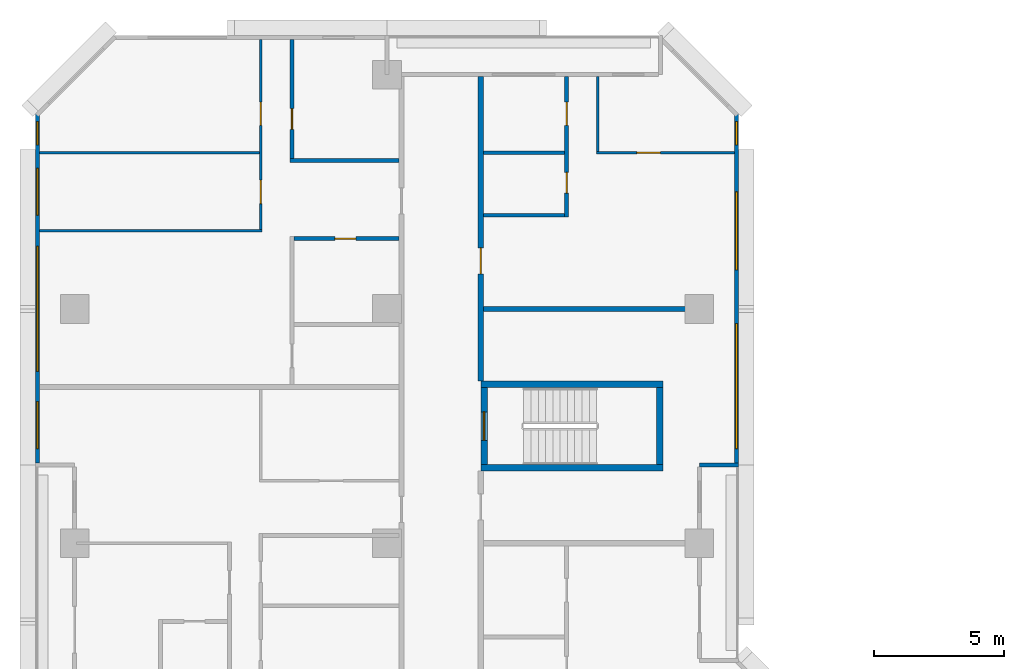
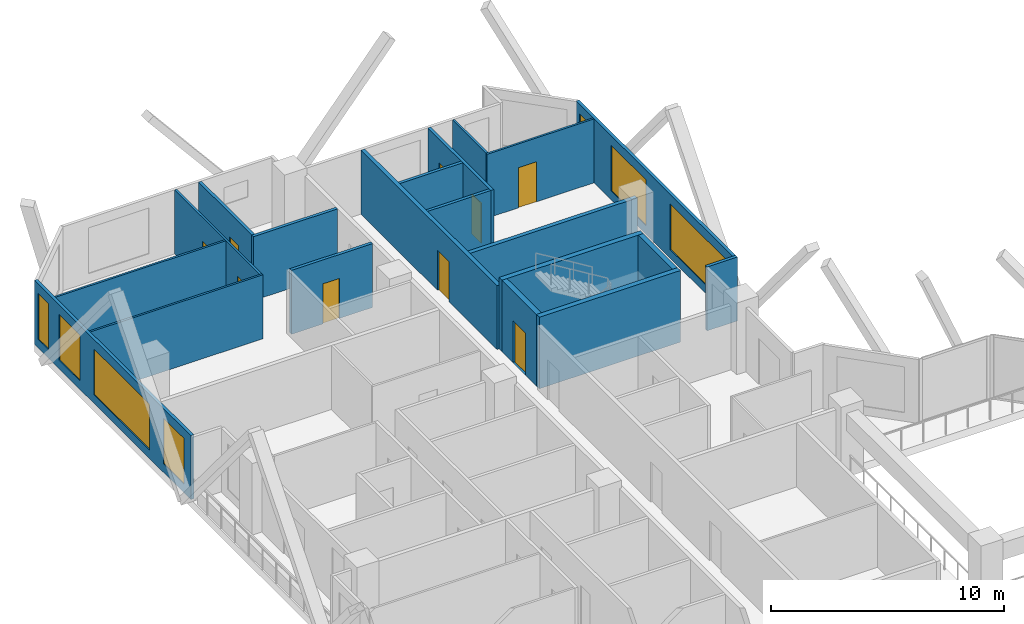
# One storey, part 10 of 15: 20 walls, 9 doors, 7 windows, 16 openings.
"""IFC4 building model written with IfcOpenShell, lengths in metres."""

from ifc_helpers import new_model, si_unit, direction, frame, frame_2d, origin, place, context, subcontext, project, spatial, rectangle, extrude, material, layer, layer_set, type_object, element, fill, save


model = new_model("IFC4")

# Units and contexts
model_context = context("Model", 3, precision=1e-05, world=origin(), true_north=direction((0.0, 1.0)))
body_context = subcontext(model_context, "Body", "Model", "MODEL_VIEW")
ifc_project = project(units=[si_unit("LENGTHUNIT", "METRE"), si_unit("AREAUNIT", "SQUARE_METRE"), si_unit("VOLUMEUNIT", "CUBIC_METRE"), si_unit("PLANEANGLEUNIT", "RADIAN"), si_unit("MASSUNIT", "GRAM", prefix="KILO")], contexts=[model_context])

# Site, building, storey
site_placement = place(None, origin())
site = spatial("IfcSite", under=ifc_project, at=site_placement, CompositionType="ELEMENT")
building_placement = place(site_placement, origin())
building = spatial("IfcBuilding", under=site, at=building_placement, Name="Chenar Terraces", CompositionType="ELEMENT")
storey_placement = place(building_placement, frame((0.0, 0.0, 41.39990234375)))
storey = spatial("IfcBuildingStorey", under=building, at=storey_placement, Name="L07", CompositionType="ELEMENT", Elevation=41.39990234375)

# Walls
ifc_material_1 = material(Name="Concrete C70/85", Category="concrete")
ifc_layer_1 = layer(ifc_material_1, 0.25)
ifc_layer_set_1 = layer_set([ifc_layer_1], Name="Concrete C70/85")
wall_type_1 = type_object("IfcWallType", Name="Core wall 250 Concrete C70/85", PredefinedType="SHEAR", material=ifc_layer_set_1)
for number, where, z_axis, x_axis, name in (
    (1, (15.60009765625, 47.89990234375, 0.0), (0.0, 0.0, 1.0), (1.0, 0.0, 0.0), "Core wall ST4_S L07"),
    (2, (15.60009765625, 51.10009765625, 0.0), (0.0, 0.0, 1.0), (1.0, 0.0, 0.0), "Core wall ST4_N L07"),
):
    element("IfcWall", number, at=place(storey_placement, frame(where, z_axis=z_axis, x_axis=x_axis)), inside=storey, type_object=wall_type_1, Name=name, PredefinedType="SHEAR", context=body_context, shape_type="SweptSolid", body=[
        extrude(rectangle(XDim=7.0, YDim=0.25, at=frame_2d((3.5, 0.0))), origin(), (0.0, 0.0, 1.0), 3.75),
    ])

# Wall, opening, door
wall_1_placement = place(storey_placement, frame((15.72509765625, 48.02490234375, 0.0), z_axis=(0.0, 0.0, 1.0), x_axis=(0.0, 1.0, 0.0)))
wall_1 = element("IfcWall", 3, at=wall_1_placement, inside=storey, type_object=wall_type_1, Name="Core wall ST4_W L07", PredefinedType="SHEAR", context=body_context, shape_type="SweptSolid", body=[
    extrude(rectangle(XDim=2.9501953125, YDim=0.25, at=frame_2d((1.47509765625, 0.0))), origin(), (0.0, 0.0, 1.0), 3.75),
])
opening_1_placement = place(wall_1_placement, frame((0.925048828125, 0.0, 0.0)))
opening_1 = element("IfcOpeningElement", 4, at=opening_1_placement, cuts=wall_1, Name="Opening DL07-C9", PredefinedType="OPENING", context=body_context, shape_type="SweptSolid", body=[
    extrude(rectangle(XDim=1.10009765625, YDim=2.199951171875, at=frame_2d((0.550048828125, 1.10009765625))), frame((0.0, 0.135009765625, 0.0), z_axis=(0.0, -1.0, 0.0), x_axis=(1.0, 0.0, 0.0)), (0.0, 0.0, 1.0), 0.27001953125),
])
ifc_material_2 = material(Name="Steel-framed fire-resisting door leaf", Category="steel")
door_type_1 = type_object("IfcDoorType", Name="Stair fire door FD60 1100 x 2200", OperationType="SINGLE_SWING_LEFT", PredefinedType="DOOR", material=ifc_material_2)
door_1_placement = place(opening_1_placement, frame((1.10009765625, 0.0, 0.0), z_axis=(0.0, 0.0, 1.0), x_axis=(-1.0, 0.0, 0.0)))
door_1 = element("IfcDoor", 5, at=door_1_placement, inside=storey, type_object=door_type_1, Name="Stair door DL07-C9", OperationType="SINGLE_SWING_RIGHT", OverallHeight=2.199951171875, OverallWidth=1.10009765625, PredefinedType="DOOR", context=body_context, shape_type="SweptSolid", body=[
    extrude(rectangle(XDim=1.10009765625, YDim=2.199951171875, at=frame_2d((0.550048828125, 1.10009765625))), frame((0.0, 0.02490234375, 0.0), z_axis=(0.0, -1.0, 0.0), x_axis=(1.0, 0.0, 0.0)), (0.0, 0.0, 1.0), 0.050048828125),
])
fill(opening_1, door_1)

# Wall
wall_2_placement = place(storey_placement, frame((22.47509765625, 48.02490234375, 0.0), z_axis=(0.0, 0.0, 1.0), x_axis=(0.0, 1.0, 0.0)))
element("IfcWall", 6, at=wall_2_placement, inside=storey, type_object=wall_type_1, Name="Core wall ST4_E L07", PredefinedType="SHEAR", context=body_context, shape_type="SweptSolid", body=[
    extrude(rectangle(XDim=2.9501953125, YDim=0.25, at=frame_2d((1.47509765625, 0.0))), origin(), (0.0, 0.0, 1.0), 3.75),
])

# Wall, opening, door
ifc_material_3 = material(Name="Gypsum board on steel studs with fire boards", Category="steel")
ifc_layer_2 = layer(ifc_material_3, 0.199951171875)
ifc_layer_set_2 = layer_set([ifc_layer_2], Name="Gypsum board on steel studs with fire boards")
wall_type_2 = type_object("IfcWallType", Name="Corridor wall 200", PredefinedType="PARTITIONING", material=ifc_layer_set_2)
wall_3_placement = place(storey_placement, frame((15.60009765625, 51.22509765625, 0.0), z_axis=(0.0, 0.0, 1.0), x_axis=(0.0, 1.0, 0.0)))
wall_3 = element("IfcWall", 7, at=wall_3_placement, inside=storey, type_object=wall_type_2, Name="Partition L07-039", PredefinedType="PARTITIONING", context=body_context, shape_type="SweptSolid", body=[
    extrude(rectangle(XDim=11.700927734375, YDim=0.199951171875, at=frame_2d((5.8505859375, 0.0))), origin(), (0.0, 0.0, 1.0), 3.35009765625),
])
opening_2_placement = place(wall_3_placement, frame((4.125, 0.0, 0.0)))
opening_2 = element("IfcOpeningElement", 8, at=opening_2_placement, cuts=wall_3, Name="Opening DL07-32", PredefinedType="OPENING", context=body_context, shape_type="SweptSolid", body=[
    extrude(rectangle(XDim=1.0, YDim=2.10009765625, at=frame_2d((0.5, 1.050048828125))), frame((0.0, 0.10986328125, 0.0), z_axis=(0.0, -1.0, 0.0), x_axis=(1.0, 0.0, 0.0)), (0.0, 0.0, 1.0), 0.219970703125),
])
ifc_material_4 = material(Name="Steel-framed fire-resisting door leaf", Category="steel")
door_type_2 = type_object("IfcDoorType", Name="Fire door FD30S 1000 x 2100", OperationType="SINGLE_SWING_LEFT", PredefinedType="DOOR", material=ifc_material_4)
door_2_placement = place(opening_2_placement, frame((1.0, 0.0, 0.0), z_axis=(0.0, 0.0, 1.0), x_axis=(-1.0, 0.0, 0.0)))
door_2 = element("IfcDoor", 9, at=door_2_placement, inside=storey, type_object=door_type_2, Name="Door DL07-32", OperationType="SINGLE_SWING_LEFT", OverallHeight=2.10009765625, OverallWidth=1.0, PredefinedType="DOOR", context=body_context, shape_type="SweptSolid", body=[
    extrude(rectangle(XDim=1.0, YDim=2.10009765625, at=frame_2d((0.5, 1.050048828125))), frame((0.0, 0.02490234375, 0.0), z_axis=(0.0, -1.0, 0.0), x_axis=(1.0, 0.0, 0.0)), (0.0, 0.0, 1.0), 0.050048828125),
])
fill(opening_2, door_2)

# Wall, openings, windows
ifc_material_5 = material(Name="Aluminium framed glazing", Category="aluminium")
ifc_layer_3 = layer(ifc_material_5, 0.14990234375)
ifc_layer_set_3 = layer_set([ifc_layer_3], Name="Aluminium framed glazing")
wall_type_3 = type_object("IfcWallType", Name="Glazed flush facade wall 150", PredefinedType="SOLIDWALL", material=ifc_layer_set_3)
wall_4_placement = place(storey_placement, frame((25.425048828125, 48.074951171875, 0.0), z_axis=(0.0, 0.0, 1.0), x_axis=(0.0, 1.0, 0.0)))
wall_4 = element("IfcWall", 10, at=wall_4_placement, inside=storey, type_object=wall_type_3, Name="Glazed flush facade wall", PredefinedType="SOLIDWALL", context=body_context, shape_type="SweptSolid", body=[
    extrude(rectangle(XDim=13.425048828125, YDim=0.14990234375, at=frame_2d((6.71240234375, 0.0))), origin(), (0.0, 0.0, 1.0), 3.35009765625),
])
opening_3_placement = place(wall_4_placement, frame((0.5625, 0.0, 0.449951171875)))
opening_3 = element("IfcOpeningElement", 11, at=opening_3_placement, cuts=wall_4, Name="Opening W480x240", PredefinedType="OPENING", context=body_context, shape_type="SweptSolid", body=[
    extrude(rectangle(XDim=4.800048828125, YDim=2.39990234375, at=frame_2d((2.39990234375, 1.199951171875))), frame((0.0, 0.0849609375, 0.0), z_axis=(0.0, -1.0, 0.0), x_axis=(1.0, 0.0, 0.0)), (0.0, 0.0, 1.0), 0.169921875),
])
opening_4_placement = place(wall_4_placement, frame((7.425048828125, 0.0, 0.449951171875)))
opening_4 = element("IfcOpeningElement", 12, at=opening_4_placement, cuts=wall_4, Name="Opening W300x240", PredefinedType="OPENING", context=body_context, shape_type="SweptSolid", body=[
    extrude(rectangle(XDim=3.0, YDim=2.39990234375, at=frame_2d((1.5, 1.199951171875))), frame((0.0, 0.0849609375, 0.0), z_axis=(0.0, -1.0, 0.0), x_axis=(1.0, 0.0, 0.0)), (0.0, 0.0, 1.0), 0.169921875),
])
opening_5_placement = place(wall_4_placement, frame((12.22509765625, 0.0, 0.449951171875)))
opening_5 = element("IfcOpeningElement", 13, at=opening_5_placement, cuts=wall_4, Name="Opening W90x240", PredefinedType="OPENING", context=body_context, shape_type="SweptSolid", body=[
    extrude(rectangle(XDim=0.89990234375, YDim=2.39990234375, at=frame_2d((0.449951171875, 1.199951171875))), frame((0.0, 0.0849609375, 0.0), z_axis=(0.0, -1.0, 0.0), x_axis=(1.0, 0.0, 0.0)), (0.0, 0.0, 1.0), 0.169921875),
])
ifc_material_6 = material(Name="Low emissivity double glazing, aluminium frame", Category="aluminium")
window_type_1 = type_object("IfcWindowType", Name="Fixed light 3000 x 2400", PartitioningType="SINGLE_PANEL", PredefinedType="WINDOW", material=ifc_material_6)
window_1_placement = place(opening_4_placement, origin())
window_1 = element("IfcWindow", 14, at=window_1_placement, inside=storey, type_object=window_type_1, Name="Window", OverallHeight=2.39990234375, OverallWidth=3.0, PartitioningType="SINGLE_PANEL", PredefinedType="WINDOW", context=body_context, shape_type="SweptSolid", body=[
    extrude(rectangle(XDim=3.0, YDim=2.39990234375, at=frame_2d((1.5, 1.199951171875))), frame((0.0, 0.030029296875, 0.0), z_axis=(0.0, -1.0, 0.0), x_axis=(1.0, 0.0, 0.0)), (0.0, 0.0, 1.0), 0.06005859375),
])
fill(opening_4, window_1)
ifc_material_7 = material(Name="Low emissivity double glazing, aluminium frame", Category="aluminium")
window_type_2 = type_object("IfcWindowType", Name="Fixed light 4800 x 2400", PartitioningType="SINGLE_PANEL", PredefinedType="WINDOW", material=ifc_material_7)
window_2_placement = place(opening_3_placement, origin())
window_2 = element("IfcWindow", 15, at=window_2_placement, inside=storey, type_object=window_type_2, Name="Window", OverallHeight=2.39990234375, OverallWidth=4.800048828125, PartitioningType="SINGLE_PANEL", PredefinedType="WINDOW", context=body_context, shape_type="SweptSolid", body=[
    extrude(rectangle(XDim=4.800048828125, YDim=2.39990234375, at=frame_2d((2.39990234375, 1.199951171875))), frame((0.0, 0.030029296875, 0.0), z_axis=(0.0, -1.0, 0.0), x_axis=(1.0, 0.0, 0.0)), (0.0, 0.0, 1.0), 0.06005859375),
])
fill(opening_3, window_2)
ifc_material_8 = material(Name="Low emissivity double glazing, aluminium frame", Category="aluminium")
window_type_3 = type_object("IfcWindowType", Name="Fixed light 900 x 2400", PartitioningType="SINGLE_PANEL", PredefinedType="WINDOW", material=ifc_material_8)
window_3_placement = place(opening_5_placement, origin())
window_3 = element("IfcWindow", 16, at=window_3_placement, inside=storey, type_object=window_type_3, Name="Window", OverallHeight=2.39990234375, OverallWidth=0.89990234375, PartitioningType="SINGLE_PANEL", PredefinedType="WINDOW", context=body_context, shape_type="SweptSolid", body=[
    extrude(rectangle(XDim=0.89990234375, YDim=2.39990234375, at=frame_2d((0.449951171875, 1.199951171875))), frame((0.0, 0.030029296875, 0.0), z_axis=(0.0, -1.0, 0.0), x_axis=(1.0, 0.0, 0.0)), (0.0, 0.0, 1.0), 0.06005859375),
])
fill(opening_5, window_3)

wall_5_placement = place(storey_placement, frame((-1.425048828125, 61.5, 0.0), z_axis=(0.0, 0.0, 1.0), x_axis=(0.0, -1.0, 0.0)))
wall_5 = element("IfcWall", 17, at=wall_5_placement, inside=storey, type_object=wall_type_3, Name="Glazed flush facade wall", PredefinedType="SOLIDWALL", context=body_context, shape_type="SweptSolid", body=[
    extrude(rectangle(XDim=13.425048828125, YDim=0.14990234375, at=frame_2d((6.71240234375, 0.0))), origin(), (0.0, 0.0, 1.0), 3.35009765625),
])
opening_6_placement = place(wall_5_placement, frame((0.300048828125, 0.0, 0.449951171875)))
opening_6 = element("IfcOpeningElement", 18, at=opening_6_placement, cuts=wall_5, Name="Opening W90x240", PredefinedType="OPENING", context=body_context, shape_type="SweptSolid", body=[
    extrude(rectangle(XDim=0.89990234375, YDim=2.39990234375, at=frame_2d((0.449951171875, 1.199951171875))), frame((0.0, 0.0849609375, 0.0), z_axis=(0.0, -1.0, 0.0), x_axis=(1.0, 0.0, 0.0)), (0.0, 0.0, 1.0), 0.169921875),
])
opening_7_placement = place(wall_5_placement, frame((2.10009765625, 0.0, 0.449951171875)))
opening_7 = element("IfcOpeningElement", 19, at=opening_7_placement, cuts=wall_5, Name="Opening W180x240", PredefinedType="OPENING", context=body_context, shape_type="SweptSolid", body=[
    extrude(rectangle(XDim=1.800048828125, YDim=2.39990234375, at=frame_2d((0.89990234375, 1.199951171875))), frame((0.0, 0.0849609375, 0.0), z_axis=(0.0, -1.0, 0.0), x_axis=(1.0, 0.0, 0.0)), (0.0, 0.0, 1.0), 0.169921875),
])
opening_8_placement = place(wall_5_placement, frame((5.10009765625, 0.0, 0.449951171875)))
opening_8 = element("IfcOpeningElement", 20, at=opening_8_placement, cuts=wall_5, Name="Opening W480x240", PredefinedType="OPENING", context=body_context, shape_type="SweptSolid", body=[
    extrude(rectangle(XDim=4.800048828125, YDim=2.39990234375, at=frame_2d((2.39990234375, 1.199951171875))), frame((0.0, 0.0849609375, 0.0), z_axis=(0.0, -1.0, 0.0), x_axis=(1.0, 0.0, 0.0)), (0.0, 0.0, 1.0), 0.169921875),
])
opening_9_placement = place(wall_5_placement, frame((11.0625, 0.0, 0.449951171875)))
opening_9 = element("IfcOpeningElement", 21, at=opening_9_placement, cuts=wall_5, Name="Opening W180x240", PredefinedType="OPENING", context=body_context, shape_type="SweptSolid", body=[
    extrude(rectangle(XDim=1.800048828125, YDim=2.39990234375, at=frame_2d((0.89990234375, 1.199951171875))), frame((0.0, 0.0849609375, 0.0), z_axis=(0.0, -1.0, 0.0), x_axis=(1.0, 0.0, 0.0)), (0.0, 0.0, 1.0), 0.169921875),
])
ifc_material_9 = material(Name="Low emissivity double glazing, aluminium frame", Category="aluminium")
window_type_4 = type_object("IfcWindowType", Name="Fixed light 1800 x 2400", PartitioningType="SINGLE_PANEL", PredefinedType="WINDOW", material=ifc_material_9)
window_4_placement = place(opening_7_placement, origin())
window_4 = element("IfcWindow", 22, at=window_4_placement, inside=storey, type_object=window_type_4, Name="Window", OverallHeight=2.39990234375, OverallWidth=1.800048828125, PartitioningType="SINGLE_PANEL", PredefinedType="WINDOW", context=body_context, shape_type="SweptSolid", body=[
    extrude(rectangle(XDim=1.800048828125, YDim=2.39990234375, at=frame_2d((0.89990234375, 1.199951171875))), frame((0.0, 0.030029296875, 0.0), z_axis=(0.0, -1.0, 0.0), x_axis=(1.0, 0.0, 0.0)), (0.0, 0.0, 1.0), 0.06005859375),
])
fill(opening_7, window_4)
window_5_placement = place(opening_9_placement, origin())
window_5 = element("IfcWindow", 23, at=window_5_placement, inside=storey, type_object=window_type_4, Name="Window", OverallHeight=2.39990234375, OverallWidth=1.800048828125, PartitioningType="SINGLE_PANEL", PredefinedType="WINDOW", context=body_context, shape_type="SweptSolid", body=[
    extrude(rectangle(XDim=1.800048828125, YDim=2.39990234375, at=frame_2d((0.89990234375, 1.199951171875))), frame((0.0, 0.030029296875, 0.0), z_axis=(0.0, -1.0, 0.0), x_axis=(1.0, 0.0, 0.0)), (0.0, 0.0, 1.0), 0.06005859375),
])
fill(opening_9, window_5)
window_6_placement = place(opening_8_placement, origin())
window_6 = element("IfcWindow", 24, at=window_6_placement, inside=storey, type_object=window_type_2, Name="Window", OverallHeight=2.39990234375, OverallWidth=4.800048828125, PartitioningType="SINGLE_PANEL", PredefinedType="WINDOW", context=body_context, shape_type="SweptSolid", body=[
    extrude(rectangle(XDim=4.800048828125, YDim=2.39990234375, at=frame_2d((2.39990234375, 1.199951171875))), frame((0.0, 0.030029296875, 0.0), z_axis=(0.0, -1.0, 0.0), x_axis=(1.0, 0.0, 0.0)), (0.0, 0.0, 1.0), 0.06005859375),
])
fill(opening_8, window_6)
window_7_placement = place(opening_6_placement, origin())
window_7 = element("IfcWindow", 25, at=window_7_placement, inside=storey, type_object=window_type_3, Name="Window", OverallHeight=2.39990234375, OverallWidth=0.89990234375, PartitioningType="SINGLE_PANEL", PredefinedType="WINDOW", context=body_context, shape_type="SweptSolid", body=[
    extrude(rectangle(XDim=0.89990234375, YDim=2.39990234375, at=frame_2d((0.449951171875, 1.199951171875))), frame((0.0, 0.030029296875, 0.0), z_axis=(0.0, -1.0, 0.0), x_axis=(1.0, 0.0, 0.0)), (0.0, 0.0, 1.0), 0.06005859375),
])
fill(opening_6, window_7)

# Walls
ifc_material_10 = material(Name="Gypsum board on steel studs", Category="steel")
ifc_layer_4 = layer(ifc_material_10, 0.10009765625)
ifc_layer_set_4 = layer_set([ifc_layer_4], Name="Gypsum board on steel studs")
wall_type_4 = type_object("IfcWallType", Name="Gypsum partition 100", PredefinedType="PARTITIONING", material=ifc_layer_set_4)
wall_6_placement = place(storey_placement, frame((-1.35107421875, 60.0, 0.0), z_axis=(0.0, 0.0, 1.0), x_axis=(1.0, 0.0, 0.0)))
element("IfcWall", 26, at=wall_6_placement, inside=storey, type_object=wall_type_4, Name="Partition L07-002", PredefinedType="PARTITIONING", context=body_context, shape_type="SweptSolid", body=[
    extrude(rectangle(XDim=8.451171875, YDim=0.10009765625, at=frame_2d((4.2255859375, 0.0))), origin(), (0.0, 0.0, 1.0), 3.35009765625),
])
wall_7_placement = place(storey_placement, frame((-1.35009765625, 57.0, 0.0), z_axis=(0.0, 0.0, 1.0), x_axis=(1.0, 0.0, 0.0)))
element("IfcWall", 27, at=wall_7_placement, inside=storey, type_object=wall_type_4, Name="Partition L07-006", PredefinedType="PARTITIONING", context=body_context, shape_type="SweptSolid", body=[
    extrude(rectangle(XDim=8.550048828125, YDim=0.10009765625, at=frame_2d((4.27490234375, 0.0))), origin(), (0.0, 0.0, 1.0), 3.35009765625),
])

# Wall, openings, doors
wall_8_placement = place(storey_placement, frame((7.14990234375, 57.050048828125, 0.0), z_axis=(0.0, 0.0, 1.0), x_axis=(0.0, 1.0, 0.0)))
wall_8 = element("IfcWall", 28, at=wall_8_placement, inside=storey, type_object=wall_type_4, Name="Partition L07-019", PredefinedType="PARTITIONING", context=body_context, shape_type="SweptSolid", body=[
    extrude(rectangle(XDim=7.300048828125, YDim=0.10009765625, at=frame_2d((3.64990234375, 0.0))), origin(), (0.0, 0.0, 1.0), 3.35009765625),
])
opening_10_placement = place(wall_8_placement, frame((1.0, 0.0, 0.0)))
opening_10 = element("IfcOpeningElement", 29, at=opening_10_placement, cuts=wall_8, Name="Opening DL07-42", PredefinedType="OPENING", context=body_context, shape_type="SweptSolid", body=[
    extrude(rectangle(XDim=0.89990234375, YDim=2.10009765625, at=frame_2d((0.449951171875, 1.050048828125))), frame((0.0, 0.06005859375, 0.0), z_axis=(0.0, -1.0, 0.0), x_axis=(1.0, 0.0, 0.0)), (0.0, 0.0, 1.0), 0.1201171875),
])
opening_11_placement = place(wall_8_placement, frame((4.0, 0.0, 0.0)))
opening_11 = element("IfcOpeningElement", 30, at=opening_11_placement, cuts=wall_8, Name="Opening DL07-43", PredefinedType="OPENING", context=body_context, shape_type="SweptSolid", body=[
    extrude(rectangle(XDim=0.89990234375, YDim=2.10009765625, at=frame_2d((0.449951171875, 1.050048828125))), frame((0.0, 0.06005859375, 0.0), z_axis=(0.0, -1.0, 0.0), x_axis=(1.0, 0.0, 0.0)), (0.0, 0.0, 1.0), 0.1201171875),
])
ifc_material_11 = material(Name="Veneered timber door leaf", Category="wood")
door_type_3 = type_object("IfcDoorType", Name="Door 900 x 2100", OperationType="SINGLE_SWING_LEFT", PredefinedType="DOOR", material=ifc_material_11)
door_3_placement = place(opening_10_placement, origin())
door_3 = element("IfcDoor", 31, at=door_3_placement, inside=storey, type_object=door_type_3, Name="Door DL07-42", OperationType="SINGLE_SWING_RIGHT", OverallHeight=2.10009765625, OverallWidth=0.89990234375, PredefinedType="DOOR", context=body_context, shape_type="SweptSolid", body=[
    extrude(rectangle(XDim=0.89990234375, YDim=2.10009765625, at=frame_2d((0.449951171875, 1.050048828125))), frame((0.0, 0.02490234375, 0.0), z_axis=(0.0, -1.0, 0.0), x_axis=(1.0, 0.0, 0.0)), (0.0, 0.0, 1.0), 0.050048828125),
])
fill(opening_10, door_3)
door_4_placement = place(opening_11_placement, origin())
door_4 = element("IfcDoor", 32, at=door_4_placement, inside=storey, type_object=door_type_3, Name="Door DL07-43", OperationType="SINGLE_SWING_LEFT", OverallHeight=2.10009765625, OverallWidth=0.89990234375, PredefinedType="DOOR", context=body_context, shape_type="SweptSolid", body=[
    extrude(rectangle(XDim=0.89990234375, YDim=2.10009765625, at=frame_2d((0.449951171875, 1.050048828125))), frame((0.0, 0.02490234375, 0.0), z_axis=(0.0, -1.0, 0.0), x_axis=(1.0, 0.0, 0.0)), (0.0, 0.0, 1.0), 0.050048828125),
])
fill(opening_11, door_4)

# Wall, opening, door
wall_9_placement = place(storey_placement, frame((20.050048828125, 60.0, 0.0), z_axis=(0.0, 0.0, 1.0), x_axis=(1.0, 0.0, 0.0)))
wall_9 = element("IfcWall", 33, at=wall_9_placement, inside=storey, type_object=wall_type_4, Name="Partition L07-053", PredefinedType="PARTITIONING", context=body_context, shape_type="SweptSolid", body=[
    extrude(rectangle(XDim=5.300048828125, YDim=0.10009765625, at=frame_2d((2.64990234375, 0.0))), origin(), (0.0, 0.0, 1.0), 3.35009765625),
])
opening_12_placement = place(wall_9_placement, frame((1.550048828125, 0.0, 0.0)))
opening_12 = element("IfcOpeningElement", 34, at=opening_12_placement, cuts=wall_9, Name="Opening DL07-30", PredefinedType="OPENING", context=body_context, shape_type="SweptSolid", body=[
    extrude(rectangle(XDim=0.89990234375, YDim=2.10009765625, at=frame_2d((0.449951171875, 1.050048828125))), frame((0.0, 0.06005859375, 0.0), z_axis=(0.0, -1.0, 0.0), x_axis=(1.0, 0.0, 0.0)), (0.0, 0.0, 1.0), 0.1201171875),
])
door_5_placement = place(opening_12_placement, origin())
door_5 = element("IfcDoor", 35, at=door_5_placement, inside=storey, type_object=door_type_3, Name="Door DL07-30", OperationType="SINGLE_SWING_LEFT", OverallHeight=2.10009765625, OverallWidth=0.89990234375, PredefinedType="DOOR", context=body_context, shape_type="SweptSolid", body=[
    extrude(rectangle(XDim=0.89990234375, YDim=2.10009765625, at=frame_2d((0.449951171875, 1.050048828125))), frame((0.0, 0.02490234375, 0.0), z_axis=(0.0, -1.0, 0.0), x_axis=(1.0, 0.0, 0.0)), (0.0, 0.0, 1.0), 0.050048828125),
])
fill(opening_12, door_5)

# Walls
wall_10_placement = place(storey_placement, frame((20.10009765625, 60.050048828125, 0.0), z_axis=(0.0, 0.0, 1.0), x_axis=(0.0, 1.0, 0.0)))
element("IfcWall", 36, at=wall_10_placement, inside=storey, type_object=wall_type_4, Name="Partition L07-055", PredefinedType="PARTITIONING", context=body_context, shape_type="SweptSolid", body=[
    extrude(rectangle(XDim=2.8759765625, YDim=0.10009765625, at=frame_2d((1.43798828125, 0.0))), origin(), (0.0, 0.0, 1.0), 3.35009765625),
])
ifc_material_12 = material(Name="Terracotta cladding on insulated backing", Category="masonry")
ifc_layer_5 = layer(ifc_material_12, 0.14990234375)
ifc_layer_set_5 = layer_set([ifc_layer_5], Name="Terracotta cladding on insulated backing")
wall_type_5 = type_object("IfcWallType", Name="Loggia return wall 150", PredefinedType="SOLIDWALL", material=ifc_layer_set_5)
wall_11_placement = place(storey_placement, frame((25.5, 48.0, 0.0), z_axis=(0.0, 0.0, 1.0), x_axis=(-1.0, 0.0, 0.0)))
element("IfcWall", 37, at=wall_11_placement, inside=storey, type_object=wall_type_5, Name="Loggia return wall", PredefinedType="SOLIDWALL", context=body_context, shape_type="SweptSolid", body=[
    extrude(rectangle(XDim=1.5, YDim=0.14990234375, at=frame_2d((0.75, 0.0))), origin(), (0.0, 0.0, 1.0), 3.35009765625),
])
ifc_material_13 = material(Name="Twin gypsum board on steel studs with mineral wool", Category="steel")
ifc_layer_6 = layer(ifc_material_13, 0.199951171875)
ifc_layer_set_6 = layer_set([ifc_layer_6], Name="Twin gypsum board on steel studs with mineral wool")
wall_type_6 = type_object("IfcWallType", Name="Unit demising wall 200", PredefinedType="PARTITIONING", material=ifc_layer_set_6)
wall_12_placement = place(storey_placement, frame((15.699951171875, 54.0, 0.0), z_axis=(0.0, 0.0, 1.0), x_axis=(1.0, 0.0, 0.0)))
element("IfcWall", 38, at=wall_12_placement, inside=storey, type_object=wall_type_6, Name="Partition L07-046", PredefinedType="PARTITIONING", context=body_context, shape_type="SweptSolid", body=[
    extrude(rectangle(XDim=8.300048828125, YDim=0.199951171875, at=frame_2d((4.14990234375, 0.0))), origin(), (0.0, 0.0, 1.0), 3.35009765625),
])
ifc_material_14 = material(Name="Moisture-resistant gypsum board on steel studs", Category="steel")
ifc_layer_7 = layer(ifc_material_14, 0.14990234375)
ifc_layer_set_7 = layer_set([ifc_layer_7], Name="Moisture-resistant gypsum board on steel studs")
wall_type_7 = type_object("IfcWallType", Name="Wet-room partition 150", PredefinedType="PARTITIONING", material=ifc_layer_set_7)
wall_13_placement = place(storey_placement, frame((8.27490234375, 59.699951171875, 0.0), z_axis=(0.0, 0.0, 1.0), x_axis=(1.0, 0.0, 0.0)))
element("IfcWall", 39, at=wall_13_placement, inside=storey, type_object=wall_type_7, Name="Partition L07-023", PredefinedType="PARTITIONING", context=body_context, shape_type="SweptSolid", body=[
    extrude(rectangle(XDim=4.175048828125, YDim=0.14990234375, at=frame_2d((2.08740234375, 0.0))), origin(), (0.0, 0.0, 1.0), 3.35009765625),
])

# Wall, opening, door
wall_14_placement = place(storey_placement, frame((8.35009765625, 59.77490234375, 0.0), z_axis=(0.0, 0.0, 1.0), x_axis=(0.0, 1.0, 0.0)))
wall_14 = element("IfcWall", 40, at=wall_14_placement, inside=storey, type_object=wall_type_7, Name="Partition L07-026", PredefinedType="PARTITIONING", context=body_context, shape_type="SweptSolid", body=[
    extrude(rectangle(XDim=4.5751953125, YDim=0.14990234375, at=frame_2d((2.28759765625, 0.0))), origin(), (0.0, 0.0, 1.0), 3.35009765625),
])
opening_13_placement = place(wall_14_placement, frame((1.125, 0.0, 0.0)))
opening_13 = element("IfcOpeningElement", 41, at=opening_13_placement, cuts=wall_14, Name="Opening DL07-45", PredefinedType="OPENING", context=body_context, shape_type="SweptSolid", body=[
    extrude(rectangle(XDim=0.800048828125, YDim=2.10009765625, at=frame_2d((0.39990234375, 1.050048828125))), frame((0.0, 0.0849609375, 0.0), z_axis=(0.0, -1.0, 0.0), x_axis=(1.0, 0.0, 0.0)), (0.0, 0.0, 1.0), 0.169921875),
])
ifc_material_15 = material(Name="Veneered timber door leaf", Category="wood")
door_type_4 = type_object("IfcDoorType", Name="Door 800 x 2100", OperationType="SINGLE_SWING_LEFT", PredefinedType="DOOR", material=ifc_material_15)
door_6_placement = place(opening_13_placement, frame((0.800048828125, 0.0, 0.0), z_axis=(0.0, 0.0, 1.0), x_axis=(-1.0, 0.0, 0.0)))
door_6 = element("IfcDoor", 42, at=door_6_placement, inside=storey, type_object=door_type_4, Name="Door DL07-45", OperationType="SINGLE_SWING_RIGHT", OverallHeight=2.10009765625, OverallWidth=0.800048828125, PredefinedType="DOOR", context=body_context, shape_type="SweptSolid", body=[
    extrude(rectangle(XDim=0.800048828125, YDim=2.10009765625, at=frame_2d((0.39990234375, 1.050048828125))), frame((0.0, 0.02490234375, 0.0), z_axis=(0.0, -1.0, 0.0), x_axis=(1.0, 0.0, 0.0)), (0.0, 0.0, 1.0), 0.050048828125),
])
fill(opening_13, door_6)

wall_15_placement = place(storey_placement, frame((8.425048828125, 56.699951171875, 0.0), z_axis=(0.0, 0.0, 1.0), x_axis=(1.0, 0.0, 0.0)))
wall_15 = element("IfcWall", 43, at=wall_15_placement, inside=storey, type_object=wall_type_7, Name="Partition L07-031", PredefinedType="PARTITIONING", context=body_context, shape_type="SweptSolid", body=[
    extrude(rectangle(XDim=4.02490234375, YDim=0.14990234375, at=frame_2d((2.012451171875, 0.0))), origin(), (0.0, 0.0, 1.0), 3.35009765625),
])
opening_14_placement = place(wall_15_placement, frame((1.574951171875, 0.0, 0.0)))
opening_14 = element("IfcOpeningElement", 44, at=opening_14_placement, cuts=wall_15, Name="Opening DL07-41", PredefinedType="OPENING", context=body_context, shape_type="SweptSolid", body=[
    extrude(rectangle(XDim=0.800048828125, YDim=2.10009765625, at=frame_2d((0.39990234375, 1.050048828125))), frame((0.0, 0.0849609375, 0.0), z_axis=(0.0, -1.0, 0.0), x_axis=(1.0, 0.0, 0.0)), (0.0, 0.0, 1.0), 0.169921875),
])
door_7_placement = place(opening_14_placement, frame((0.800048828125, 0.0, 0.0), z_axis=(0.0, 0.0, 1.0), x_axis=(-1.0, 0.0, 0.0)))
door_7 = element("IfcDoor", 45, at=door_7_placement, inside=storey, type_object=door_type_4, Name="Door DL07-41", OperationType="SINGLE_SWING_LEFT", OverallHeight=2.10009765625, OverallWidth=0.800048828125, PredefinedType="DOOR", context=body_context, shape_type="SweptSolid", body=[
    extrude(rectangle(XDim=0.800048828125, YDim=2.10009765625, at=frame_2d((0.39990234375, 1.050048828125))), frame((0.0, 0.02490234375, 0.0), z_axis=(0.0, -1.0, 0.0), x_axis=(1.0, 0.0, 0.0)), (0.0, 0.0, 1.0), 0.050048828125),
])
fill(opening_14, door_7)

# Walls
for number, where, z_axis, x_axis, name in (
    (46, (15.699951171875, 57.60009765625, 0.0), (0.0, 0.0, 1.0), (1.0, 0.0, 0.0), "Partition L07-047"),
    (47, (15.699951171875, 60.0, 0.0), (0.0, 0.0, 1.0), (1.0, 0.0, 0.0), "Partition L07-048"),
):
    element("IfcWall", number, at=place(storey_placement, frame(where, z_axis=z_axis, x_axis=x_axis)), inside=storey, type_object=wall_type_7, Name=name, PredefinedType="PARTITIONING", context=body_context, shape_type="SweptSolid", body=[
        extrude(rectangle(XDim=3.125, YDim=0.14990234375, at=frame_2d((1.5625, 0.0))), origin(), (0.0, 0.0, 1.0), 3.35009765625),
    ])

# Wall, openings, doors
wall_16_placement = place(storey_placement, frame((18.89990234375, 57.52490234375, 0.0), z_axis=(0.0, 0.0, 1.0), x_axis=(0.0, 1.0, 0.0)))
wall_16 = element("IfcWall", 48, at=wall_16_placement, inside=storey, type_object=wall_type_7, Name="Partition L07-051", PredefinedType="PARTITIONING", context=body_context, shape_type="SweptSolid", body=[
    extrude(rectangle(XDim=5.401123046875, YDim=0.14990234375, at=frame_2d((2.70068359375, 0.0))), origin(), (0.0, 0.0, 1.0), 3.35009765625),
])
opening_15_placement = place(wall_16_placement, frame((0.925048828125, 0.0, 0.0)))
opening_15 = element("IfcOpeningElement", 49, at=opening_15_placement, cuts=wall_16, Name="Opening DL07-29", PredefinedType="OPENING", context=body_context, shape_type="SweptSolid", body=[
    extrude(rectangle(XDim=0.800048828125, YDim=2.10009765625, at=frame_2d((0.39990234375, 1.050048828125))), frame((0.0, 0.0849609375, 0.0), z_axis=(0.0, -1.0, 0.0), x_axis=(1.0, 0.0, 0.0)), (0.0, 0.0, 1.0), 0.169921875),
])
opening_16_placement = place(wall_16_placement, frame((3.52490234375, 0.0, 0.0)))
opening_16 = element("IfcOpeningElement", 50, at=opening_16_placement, cuts=wall_16, Name="Opening DL07-31", PredefinedType="OPENING", context=body_context, shape_type="SweptSolid", body=[
    extrude(rectangle(XDim=0.89990234375, YDim=2.10009765625, at=frame_2d((0.449951171875, 1.050048828125))), frame((0.0, 0.0849609375, 0.0), z_axis=(0.0, -1.0, 0.0), x_axis=(1.0, 0.0, 0.0)), (0.0, 0.0, 1.0), 0.169921875),
])
door_8_placement = place(opening_15_placement, origin())
door_8 = element("IfcDoor", 51, at=door_8_placement, inside=storey, type_object=door_type_4, Name="Door DL07-29", OperationType="SINGLE_SWING_RIGHT", OverallHeight=2.10009765625, OverallWidth=0.800048828125, PredefinedType="DOOR", context=body_context, shape_type="SweptSolid", body=[
    extrude(rectangle(XDim=0.800048828125, YDim=2.10009765625, at=frame_2d((0.39990234375, 1.050048828125))), frame((0.0, 0.02490234375, 0.0), z_axis=(0.0, -1.0, 0.0), x_axis=(1.0, 0.0, 0.0)), (0.0, 0.0, 1.0), 0.050048828125),
])
fill(opening_15, door_8)
door_9_placement = place(opening_16_placement, origin())
door_9 = element("IfcDoor", 52, at=door_9_placement, inside=storey, type_object=door_type_3, Name="Door DL07-31", OperationType="SINGLE_SWING_LEFT", OverallHeight=2.10009765625, OverallWidth=0.89990234375, PredefinedType="DOOR", context=body_context, shape_type="SweptSolid", body=[
    extrude(rectangle(XDim=0.89990234375, YDim=2.10009765625, at=frame_2d((0.449951171875, 1.050048828125))), frame((0.0, 0.02490234375, 0.0), z_axis=(0.0, -1.0, 0.0), x_axis=(1.0, 0.0, 0.0)), (0.0, 0.0, 1.0), 0.050048828125),
])
fill(opening_16, door_9)

save(model, "model.ifc")
